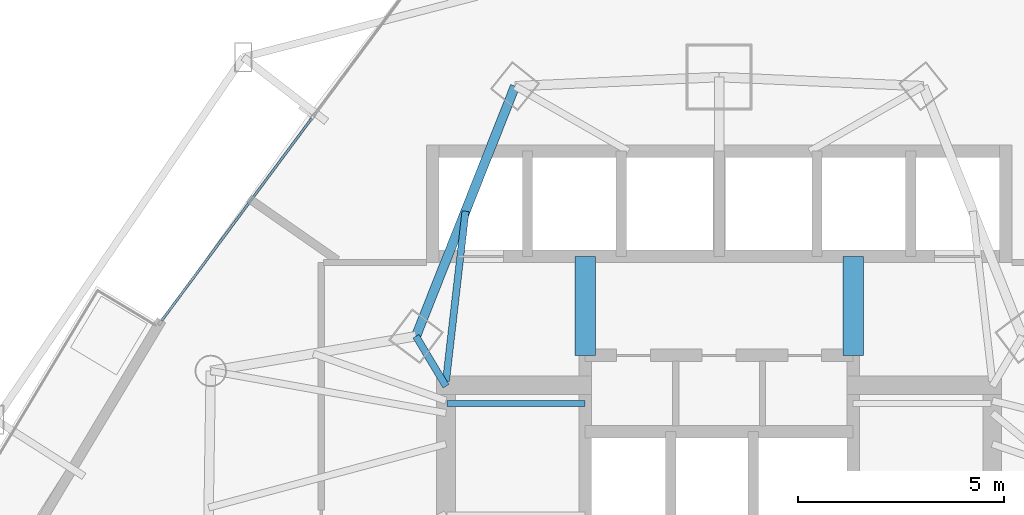
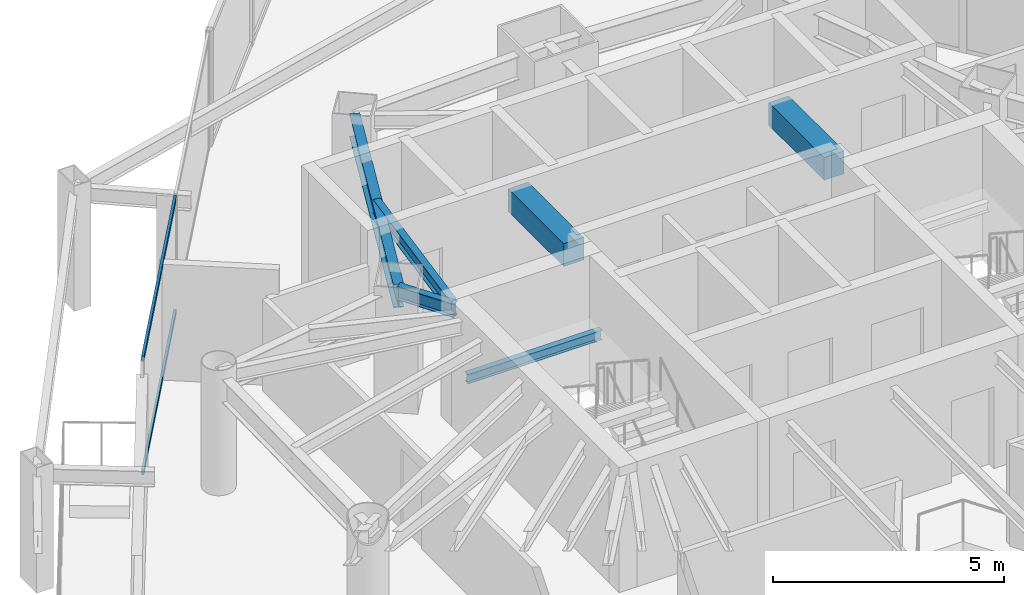
# One storey, part 21 of 34: 6 beams, 2 members, 1 element without a shape of its own.
"""IFC4 building model written with IfcOpenShell, lengths in metres."""

from ifc_helpers import new_model, si_unit, direction, frame, origin, origin_2d, place, context, subcontext, project, spatial, rectangle, hollow_rectangle, i_section, extrude, material, layer, layer_set, material_profile, profile_set, type_object, element, aggregate, save


model = new_model("IFC4")

# Units and contexts
model_context = context("Model", 3, precision=1e-05, world=origin(), true_north=direction((0.0, 1.0)))
body_context = subcontext(model_context, "Body", "Model", "MODEL_VIEW")
ifc_project = project(units=[si_unit("LENGTHUNIT", "METRE"), si_unit("AREAUNIT", "SQUARE_METRE"), si_unit("VOLUMEUNIT", "CUBIC_METRE"), si_unit("PLANEANGLEUNIT", "RADIAN"), si_unit("MASSUNIT", "GRAM", prefix="KILO")], contexts=[model_context])

# Site, building, storey
site_placement = place(None, origin())
site = spatial("IfcSite", under=ifc_project, at=site_placement, CompositionType="ELEMENT")
building_placement = place(site_placement, origin())
building = spatial("IfcBuilding", under=site, at=building_placement, Name="Orvanel Arch Residences", CompositionType="ELEMENT")
storey_placement = place(building_placement, frame((0.0, 0.0, 64.25)))
storey = spatial("IfcBuildingStorey", under=building, at=storey_placement, Name="L17", CompositionType="ELEMENT", Elevation=64.25)

# Beams
ifc_material_1 = material(Name="Structural steel AS/NZS 3679.1 Grade 300 (300 MPa)", Category="steel")
ifc_material_profile_1 = material_profile(ifc_material_1, i_section(OverallWidth=0.14599609375, OverallDepth=0.251953125, WebThickness=0.006103515625, FlangeThickness=0.008544921875, at=origin_2d()), Name="250UB31.4")
ifc_profile_set_1 = profile_set([ifc_material_profile_1], Name="Structural steel AS/NZS 3679.1 Grade 300 (300 MPa)")
beam_type_1 = type_object("IfcBeamType", Name="BJ-250UB", PredefinedType="JOIST", material=ifc_profile_set_1)
beam_1_placement = place(storey_placement, frame((26.39990234375, 33.47998046875, 1.323974609375), z_axis=(1.0, 0.0, 0.0), x_axis=(0.0, 1.0, 0.0)))
element("IfcBeam", 1, at=beam_1_placement, inside=storey, type_object=beam_type_1, Name="L17 ST-1 Half-Landing Support Beam 1.2", PredefinedType="JOIST", context=body_context, shape_type="SweptSolid", body=[
    extrude(i_section(OverallWidth=0.14599609375, OverallDepth=0.251953125, WebThickness=0.006103515625, FlangeThickness=0.008544921875, at=origin_2d()), origin(), (0.0, 0.0, 1.0), 3.35009765625),
])
ifc_material_profile_2 = material_profile(ifc_material_1, i_section(OverallWidth=0.1708984375, OverallDepth=0.35595703125, WebThickness=0.00732421875, FlangeThickness=0.011474609375, at=origin_2d()), Name="360UB50.7")
ifc_profile_set_2 = profile_set([ifc_material_profile_2], Name="Structural steel AS/NZS 3679.1 Grade 300 (300 MPa)")
beam_type_2 = type_object("IfcBeamType", Name="BJ-360UB", PredefinedType="JOIST", material=ifc_profile_set_2)
beam_2_placement = place(storey_placement, frame((26.375, 33.89990234375, 2.882080078125), z_axis=(-0.514064138778, 0.857751748015, 0.0), x_axis=(-0.857751748015, -0.514064138778, 0.0)))
element("IfcBeam", 2, at=beam_2_placement, inside=storey, type_object=beam_type_2, Name="L17 NNW Wing Floor Joist", PredefinedType="JOIST", context=body_context, shape_type="SweptSolid", body=[
    extrude(i_section(OverallWidth=0.1708984375, OverallDepth=0.35595703125, WebThickness=0.00732421875, FlangeThickness=0.011474609375, at=origin_2d()), origin(), (0.0, 0.0, 1.0), 1.414306640625),
])
beam_3_placement = place(storey_placement, frame((26.375, 34.02001953125, 2.882080078125), z_axis=(0.114186670431, 0.993459311847, 0.0), x_axis=(-0.993459311847, 0.114186670431, 0.0)))
element("IfcBeam", 3, at=beam_3_placement, inside=storey, type_object=beam_type_2, Name="L17 NNW2 Wing Floor Joist", PredefinedType="JOIST", context=body_context, shape_type="SweptSolid", body=[
    extrude(i_section(OverallWidth=0.1708984375, OverallDepth=0.35595703125, WebThickness=0.00732421875, FlangeThickness=0.011474609375, at=origin_2d()), origin(), (0.0, 0.0, 1.0), 4.152099609375),
])
ifc_material_2 = material(Name="Concrete S65 (65 MPa)", Category="concrete")
ifc_material_profile_3 = material_profile(ifc_material_2, rectangle(XDim=0.5, YDim=0.60009765625, at=origin_2d()), Name="RC500x600")
ifc_profile_set_3 = profile_set([ifc_material_profile_3], Name="Concrete S65 (65 MPa)")
beam_type_3 = type_object("IfcBeamType", Name="CB-500x600", PredefinedType="LINTEL", material=ifc_profile_set_3)
for number, where, z_axis, x_axis, name in (
    (4, (29.75, 34.64990234375, 2.760009765625), (0.0, 1.0, 0.0), (-1.0, 0.0, 0.0), "L17 West Core Lobby Coupling Lintel Beam"),
    (5, (36.25, 34.64990234375, 2.760009765625), (0.0, 1.0, 0.0), (-1.0, 0.0, 0.0), "L17 East Core Lobby Coupling Lintel Beam"),
):
    element("IfcBeam", number, at=place(storey_placement, frame(where, z_axis=z_axis, x_axis=x_axis)), inside=storey, type_object=beam_type_3, Name=name, PredefinedType="LINTEL", context=body_context, shape_type="SweptSolid", body=[
        extrude(rectangle(XDim=0.5, YDim=0.60009765625, at=origin_2d()), origin(), (0.0, 0.0, 1.0), 2.400146484375),
    ])
ifc_material_profile_4 = material_profile(ifc_material_1, i_section(OverallWidth=0.22900390625, OverallDepth=0.612060546875, WebThickness=0.011962890625, FlangeThickness=0.01953125, at=origin_2d()), Name="610UB125")
ifc_profile_set_4 = profile_set([ifc_material_profile_4], Name="Structural steel AS/NZS 3679.1 Grade 300 (300 MPa)")
beam_type_4 = type_object("IfcBeamType", Name="SP-610UB", PredefinedType="SPANDREL", material=ifc_profile_set_4)
beam_4_placement = place(storey_placement, frame((28.050048828125, 41.177978515625, 2.75390625), z_axis=(-0.368233143579, -0.929733484376, 0.0), x_axis=(0.929733484376, -0.368233143579, 0.0)))
element("IfcBeam", 6, at=beam_4_placement, inside=storey, type_object=beam_type_4, Name="L17 Perimeter Spandrel Beam 18", PredefinedType="SPANDREL", context=body_context, shape_type="SweptSolid", body=[
    extrude(i_section(OverallWidth=0.22900390625, OverallDepth=0.612060546875, WebThickness=0.011962890625, FlangeThickness=0.01953125, at=origin_2d()), origin(), (0.0, 0.0, 1.0), 6.523193359375),
])

# Curtain wall, members
ifc_material_3 = material(Name="Bronze-anodised aluminium AA6063-T6", Category="aluminium")
ifc_layer = layer(ifc_material_3, 0.179931640625)
ifc_layer_set = layer_set([ifc_layer], Name="Bronze-anodised aluminium AA6063-T6")
curtain_wall_type = type_object("IfcCurtainWallType", Name="CW2-LOW-SYS", PredefinedType="NOTDEFINED", material=ifc_layer_set)
curtain_wall_placement = place(storey_placement, origin())
curtain_wall = element("IfcCurtainWall", 7, at=curtain_wall_placement, inside=storey, type_object=curtain_wall_type, Name="L17 CW2-LOW-SYS Unitised Curtain Wall", PredefinedType="NOTDEFINED")
ifc_material_profile_5 = material_profile(ifc_material_3, hollow_rectangle(XDim=0.06005859375, YDim=0.135009765625, WallThickness=0.00390625, at=origin_2d()), Name="ALU135x60x4")
ifc_profile_set_5 = profile_set([ifc_material_profile_5], Name="Bronze-anodised aluminium AA6063-T6")
member_type = type_object("IfcMemberType", Name="TRN-135x60", PredefinedType="USERDEFINED", material=ifc_profile_set_5)
member_1_placement = place(storey_placement, frame((23.1171875, 40.393798828125, 0.030029296875), z_axis=(-0.596008244944, -0.802978313505, 0.0), x_axis=(0.802978313505, -0.596008244944, 0.0)))
member_1 = element("IfcMember", 8, at=member_1_placement, type_object=member_type, Name="CW-S2 transom 2.1", ObjectType="TRANSOM", PredefinedType="USERDEFINED", context=body_context, shape_type="SweptSolid", body=[
    extrude(hollow_rectangle(XDim=0.06005859375, YDim=0.135009765625, WallThickness=0.00390625, at=origin_2d()), origin(), (0.0, 0.0, 1.0), 6.10791015625),
])
member_2_placement = place(storey_placement, frame((23.1171875, 40.393798828125, 3.030029296875), z_axis=(-0.596008244944, -0.802978313505, 0.0), x_axis=(0.802978313505, -0.596008244944, 0.0)))
member_2 = element("IfcMember", 9, at=member_2_placement, type_object=member_type, Name="CW-S2 transom 2.2", ObjectType="TRANSOM", PredefinedType="USERDEFINED", context=body_context, shape_type="SweptSolid", body=[
    extrude(hollow_rectangle(XDim=0.06005859375, YDim=0.135009765625, WallThickness=0.00390625, at=origin_2d()), origin(), (0.0, 0.0, 1.0), 6.10791015625),
])
aggregate(curtain_wall, [member_1, member_2])

save(model, "model.ifc")
